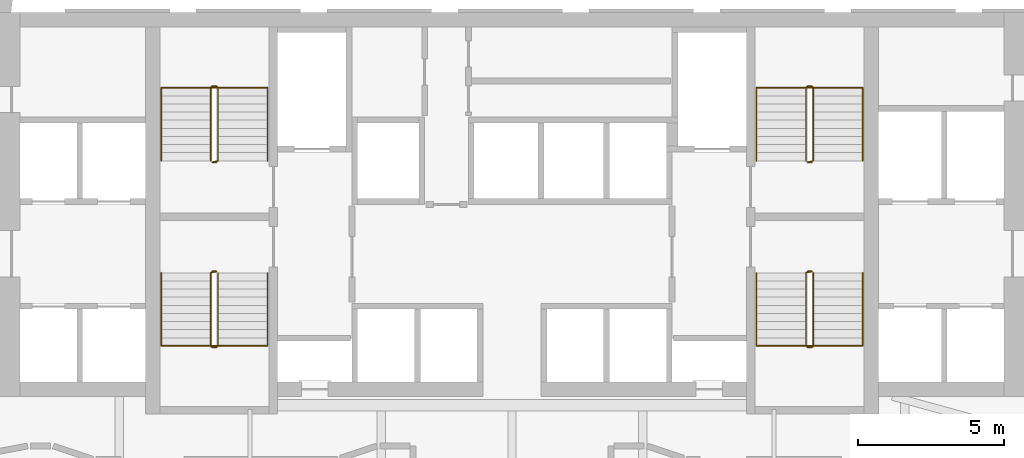
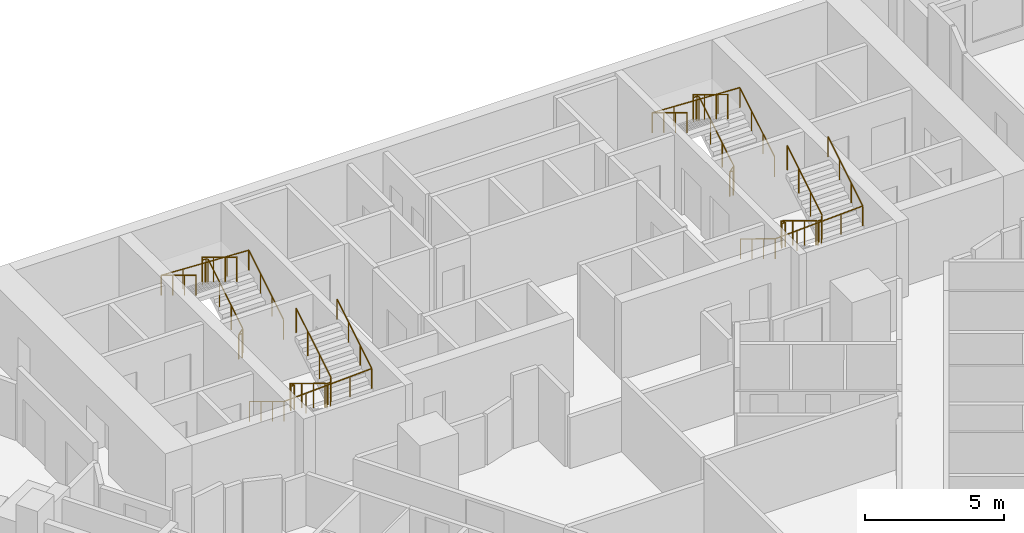
# One storey, part 12 of 12: 8 railings.
"""IFC4 building model written with IfcOpenShell, lengths in metres."""

from ifc_helpers import new_model, si_unit, direction, frame, origin, origin_2d, place, context, subcontext, project, spatial, circle, extrude, material, type_object, element, save


model = new_model("IFC4")

# Units and contexts
model_context = context("Model", 3, precision=1e-05, world=origin(), true_north=direction((0.0, 1.0)))
body_context = subcontext(model_context, "Body", "Model", "MODEL_VIEW")
ifc_project = project(units=[si_unit("LENGTHUNIT", "METRE"), si_unit("AREAUNIT", "SQUARE_METRE"), si_unit("VOLUMEUNIT", "CUBIC_METRE"), si_unit("PLANEANGLEUNIT", "RADIAN"), si_unit("MASSUNIT", "GRAM", prefix="KILO")], contexts=[model_context])

# Site, building, storey
site_placement = place(None, origin())
site = spatial("IfcSite", under=ifc_project, at=site_placement, CompositionType="ELEMENT")
building_placement = place(site_placement, origin())
building = spatial("IfcBuilding", under=site, at=building_placement, Name="Calabash Gate Tower", CompositionType="ELEMENT")
storey_placement = place(building_placement, frame((0.0, 0.0, 76.60009765625)))
storey = spatial("IfcBuildingStorey", under=building, at=storey_placement, Name="L15", CompositionType="ELEMENT", Elevation=76.60009765625)

# Railings
ifc_material_1 = material(Name="Black powder-coated steel balusters", Category="steel")
railing_type_1 = type_object("IfcRailingType", Name="Stair guard RL1100", PredefinedType="GUARDRAIL", material=ifc_material_1)
railing_1_placement = place(storey_placement, frame((-10.14990234375, 13.902587890625, 0.0)))
element("IfcRailing", 1, at=railing_1_placement, inside=storey, type_object=railing_type_1, Name="L15 ST1 stair guard 1", PredefinedType="GUARDRAIL", context=body_context, shape_type="SweptSolid", body=[
    extrude(circle(Radius=0.02392578125, at=origin_2d()), frame((0.0, 0.0, 1.076171875), z_axis=(-1.0, 0.0, 0.0), x_axis=(0.0, -1.0, 0.0)), (0.0, 0.0, 1.0), 0.150146484375),
    extrude(circle(Radius=0.02392578125, at=origin_2d()), frame((-0.150146484375, 0.0, 1.076171875), z_axis=(0.748514443355, 0.187357095101, 0.636100186295), x_axis=(-0.242814311512, 0.970072785993, 0.0)), (0.0, 0.0, 1.0), 0.26708984375),
    extrude(circle(Radius=0.02392578125, at=origin_2d()), frame((0.0498046875, 0.050048828125, 1.24609375), z_axis=(0.0, 0.853956361026, 0.520344629514), x_axis=(-1.0, 0.0, 0.0)), (0.0, 0.0, 1.0), 2.9404296875),
    extrude(circle(Radius=0.02392578125, at=origin_2d()), frame((0.0498046875, 2.56103515625, 2.77587890625), z_axis=(-0.705375805398, 0.708833529934, 0.0), x_axis=(-0.708833529934, -0.705375805398, 0.0)), (0.0, 0.0, 1.0), 0.070556640625),
    extrude(circle(Radius=0.02392578125, at=origin_2d()), frame((0.0, 2.611083984375, 2.77587890625), z_axis=(-1.0, 0.0, 0.0), x_axis=(0.0, -1.0, 0.0)), (0.0, 0.0, 1.0), 0.150146484375),
    extrude(circle(Radius=0.02392578125, at=origin_2d()), frame((-0.150146484375, 2.611083984375, 2.77587890625), z_axis=(-0.271895245746, -0.271895245746, 0.923117517265), x_axis=(0.707106781187, -0.707106781187, 0.0)), (0.0, 0.0, 1.0), 0.18408203125),
    extrude(circle(Radius=0.02392578125, at=origin_2d()), frame((-0.2001953125, 2.56103515625, 2.94580078125), z_axis=(0.0, -0.853956361026, 0.520344629514), x_axis=(1.0, 0.0, 0.0)), (0.0, 0.0, 1.0), 2.9404296875),
    extrude(circle(Radius=0.02099609375, at=origin_2d()), origin(), (0.0, 0.0, 1.0), 1.052001953125),
    extrude(circle(Radius=0.02099609375, at=origin_2d()), frame((-0.150146484375, 0.0, 0.0)), (0.0, 0.0, 1.0), 1.052001953125),
    extrude(circle(Radius=0.02099609375, at=origin_2d()), frame((0.0498046875, 0.050048828125, 0.169921875)), (0.0, 0.0, 1.0), 1.052001953125),
    extrude(circle(Radius=0.02099609375, at=origin_2d()), frame((0.0498046875, 0.886962890625, 0.679931640625)), (0.0, 0.0, 1.0), 1.052001953125),
    extrude(circle(Radius=0.02099609375, at=origin_2d()), frame((0.0498046875, 1.72412109375, 1.18994140625)), (0.0, 0.0, 1.0), 1.052001953125),
    extrude(circle(Radius=0.02099609375, at=origin_2d()), frame((0.0498046875, 2.56103515625, 1.699951171875)), (0.0, 0.0, 1.0), 1.052001953125),
    extrude(circle(Radius=0.02099609375, at=origin_2d()), frame((0.0, 2.611083984375, 1.699951171875)), (0.0, 0.0, 1.0), 1.052001953125),
    extrude(circle(Radius=0.02099609375, at=origin_2d()), frame((-0.150146484375, 2.611083984375, 1.699951171875)), (0.0, 0.0, 1.0), 1.052001953125),
    extrude(circle(Radius=0.02099609375, at=origin_2d()), frame((-0.2001953125, 2.56103515625, 1.869873046875)), (0.0, 0.0, 1.0), 1.052001953125),
    extrude(circle(Radius=0.02099609375, at=origin_2d()), frame((-0.2001953125, 1.72412109375, 2.3798828125)), (0.0, 0.0, 1.0), 1.052001953125),
    extrude(circle(Radius=0.02099609375, at=origin_2d()), frame((-0.2001953125, 0.886962890625, 2.889892578125)), (0.0, 0.0, 1.0), 1.052001953125),
    extrude(circle(Radius=0.02099609375, at=origin_2d()), frame((-0.2001953125, 0.050048828125, 3.39990234375)), (0.0, 0.0, 1.0), 1.052001953125),
])
railing_2_placement = place(storey_placement, frame((-10.300048828125, 10.152587890625, 0.0)))
element("IfcRailing", 2, at=railing_2_placement, inside=storey, type_object=railing_type_1, Name="L15 ST2 stair guard 1", PredefinedType="GUARDRAIL", context=body_context, shape_type="SweptSolid", body=[
    extrude(circle(Radius=0.02392578125, at=origin_2d()), frame((0.0, 0.0, 1.076171875), z_axis=(1.0, 0.0, 0.0), x_axis=(0.0, 1.0, 0.0)), (0.0, 0.0, 1.0), 0.150146484375),
    extrude(circle(Radius=0.02392578125, at=origin_2d()), frame((0.150146484375, 0.0, 1.076171875), z_axis=(-0.748915913269, -0.187228978317, 0.635665214189), x_axis=(0.242535625036, -0.970142500145, 0.0)), (0.0, 0.0, 1.0), 0.267333984375),
    extrude(circle(Radius=0.02392578125, at=origin_2d()), frame((-0.050048828125, -0.050048828125, 1.24609375), z_axis=(0.0, -0.853956361026, 0.520344629514), x_axis=(1.0, 0.0, 0.0)), (0.0, 0.0, 1.0), 2.9404296875),
    extrude(circle(Radius=0.02392578125, at=origin_2d()), frame((-0.050048828125, -2.56103515625, 2.77587890625), z_axis=(0.707106781187, -0.707106781187, 0.0), x_axis=(0.707106781187, 0.707106781187, 0.0)), (0.0, 0.0, 1.0), 0.07080078125),
    extrude(circle(Radius=0.02392578125, at=origin_2d()), frame((0.0, -2.611083984375, 2.77587890625), z_axis=(1.0, 0.0, 0.0), x_axis=(0.0, 1.0, 0.0)), (0.0, 0.0, 1.0), 0.150146484375),
    extrude(circle(Radius=0.02392578125, at=origin_2d()), frame((0.150146484375, -2.611083984375, 2.77587890625), z_axis=(0.270666314514, 0.271993110173, 0.92344977893), x_axis=(-0.708833529934, 0.705375805398, 0.0)), (0.0, 0.0, 1.0), 0.18408203125),
    extrude(circle(Radius=0.02392578125, at=origin_2d()), frame((0.199951171875, -2.56103515625, 2.94580078125), z_axis=(0.0, 0.853956361026, 0.520344629514), x_axis=(-1.0, 0.0, 0.0)), (0.0, 0.0, 1.0), 2.9404296875),
    extrude(circle(Radius=0.02099609375, at=origin_2d()), origin(), (0.0, 0.0, 1.0), 1.052001953125),
    extrude(circle(Radius=0.02099609375, at=origin_2d()), frame((0.150146484375, 0.0, 0.0)), (0.0, 0.0, 1.0), 1.052001953125),
    extrude(circle(Radius=0.02099609375, at=origin_2d()), frame((-0.050048828125, -0.050048828125, 0.169921875)), (0.0, 0.0, 1.0), 1.052001953125),
    extrude(circle(Radius=0.02099609375, at=origin_2d()), frame((-0.050048828125, -0.886962890625, 0.679931640625)), (0.0, 0.0, 1.0), 1.052001953125),
    extrude(circle(Radius=0.02099609375, at=origin_2d()), frame((-0.050048828125, -1.72412109375, 1.18994140625)), (0.0, 0.0, 1.0), 1.052001953125),
    extrude(circle(Radius=0.02099609375, at=origin_2d()), frame((-0.050048828125, -2.56103515625, 1.699951171875)), (0.0, 0.0, 1.0), 1.052001953125),
    extrude(circle(Radius=0.02099609375, at=origin_2d()), frame((0.0, -2.611083984375, 1.699951171875)), (0.0, 0.0, 1.0), 1.052001953125),
    extrude(circle(Radius=0.02099609375, at=origin_2d()), frame((0.150146484375, -2.611083984375, 1.699951171875)), (0.0, 0.0, 1.0), 1.052001953125),
    extrude(circle(Radius=0.02099609375, at=origin_2d()), frame((0.199951171875, -2.56103515625, 1.869873046875)), (0.0, 0.0, 1.0), 1.052001953125),
    extrude(circle(Radius=0.02099609375, at=origin_2d()), frame((0.199951171875, -1.72412109375, 2.3798828125)), (0.0, 0.0, 1.0), 1.052001953125),
    extrude(circle(Radius=0.02099609375, at=origin_2d()), frame((0.199951171875, -0.886962890625, 2.889892578125)), (0.0, 0.0, 1.0), 1.052001953125),
    extrude(circle(Radius=0.02099609375, at=origin_2d()), frame((0.199951171875, -0.050048828125, 3.39990234375)), (0.0, 0.0, 1.0), 1.052001953125),
])
railing_3_placement = place(storey_placement, frame((10.300048828125, 13.902587890625, 0.0)))
element("IfcRailing", 3, at=railing_3_placement, inside=storey, type_object=railing_type_1, Name="L15 ST3 stair guard 1", PredefinedType="GUARDRAIL", context=body_context, shape_type="SweptSolid", body=[
    extrude(circle(Radius=0.02392578125, at=origin_2d()), frame((0.0, 0.0, 1.076171875), z_axis=(-1.0, 0.0, 0.0), x_axis=(0.0, -1.0, 0.0)), (0.0, 0.0, 1.0), 0.150146484375),
    extrude(circle(Radius=0.02392578125, at=origin_2d()), frame((-0.150146484375, 0.0, 1.076171875), z_axis=(0.748915913269, 0.187228978317, 0.635665214189), x_axis=(-0.242535625036, 0.970142500145, 0.0)), (0.0, 0.0, 1.0), 0.267333984375),
    extrude(circle(Radius=0.02392578125, at=origin_2d()), frame((0.050048828125, 0.050048828125, 1.24609375), z_axis=(0.0, 0.853956361026, 0.520344629514), x_axis=(-1.0, 0.0, 0.0)), (0.0, 0.0, 1.0), 2.9404296875),
    extrude(circle(Radius=0.02392578125, at=origin_2d()), frame((0.050048828125, 2.56103515625, 2.77587890625), z_axis=(-0.707106781187, 0.707106781187, 0.0), x_axis=(-0.707106781187, -0.707106781187, 0.0)), (0.0, 0.0, 1.0), 0.07080078125),
    extrude(circle(Radius=0.02392578125, at=origin_2d()), frame((0.0, 2.611083984375, 2.77587890625), z_axis=(-1.0, 0.0, 0.0), x_axis=(0.0, -1.0, 0.0)), (0.0, 0.0, 1.0), 0.150146484375),
    extrude(circle(Radius=0.02392578125, at=origin_2d()), frame((-0.150146484375, 2.611083984375, 2.77587890625), z_axis=(-0.270666314514, -0.271993110173, 0.92344977893), x_axis=(0.708833529934, -0.705375805398, 0.0)), (0.0, 0.0, 1.0), 0.18408203125),
    extrude(circle(Radius=0.02392578125, at=origin_2d()), frame((-0.199951171875, 2.56103515625, 2.94580078125), z_axis=(0.0, -0.853956361026, 0.520344629514), x_axis=(1.0, 0.0, 0.0)), (0.0, 0.0, 1.0), 2.9404296875),
    extrude(circle(Radius=0.02099609375, at=origin_2d()), origin(), (0.0, 0.0, 1.0), 1.052001953125),
    extrude(circle(Radius=0.02099609375, at=origin_2d()), frame((-0.150146484375, 0.0, 0.0)), (0.0, 0.0, 1.0), 1.052001953125),
    extrude(circle(Radius=0.02099609375, at=origin_2d()), frame((0.050048828125, 0.050048828125, 0.169921875)), (0.0, 0.0, 1.0), 1.052001953125),
    extrude(circle(Radius=0.02099609375, at=origin_2d()), frame((0.050048828125, 0.886962890625, 0.679931640625)), (0.0, 0.0, 1.0), 1.052001953125),
    extrude(circle(Radius=0.02099609375, at=origin_2d()), frame((0.050048828125, 1.72412109375, 1.18994140625)), (0.0, 0.0, 1.0), 1.052001953125),
    extrude(circle(Radius=0.02099609375, at=origin_2d()), frame((0.050048828125, 2.56103515625, 1.699951171875)), (0.0, 0.0, 1.0), 1.052001953125),
    extrude(circle(Radius=0.02099609375, at=origin_2d()), frame((0.0, 2.611083984375, 1.699951171875)), (0.0, 0.0, 1.0), 1.052001953125),
    extrude(circle(Radius=0.02099609375, at=origin_2d()), frame((-0.150146484375, 2.611083984375, 1.699951171875)), (0.0, 0.0, 1.0), 1.052001953125),
    extrude(circle(Radius=0.02099609375, at=origin_2d()), frame((-0.199951171875, 2.56103515625, 1.869873046875)), (0.0, 0.0, 1.0), 1.052001953125),
    extrude(circle(Radius=0.02099609375, at=origin_2d()), frame((-0.199951171875, 1.72412109375, 2.3798828125)), (0.0, 0.0, 1.0), 1.052001953125),
    extrude(circle(Radius=0.02099609375, at=origin_2d()), frame((-0.199951171875, 0.886962890625, 2.889892578125)), (0.0, 0.0, 1.0), 1.052001953125),
    extrude(circle(Radius=0.02099609375, at=origin_2d()), frame((-0.199951171875, 0.050048828125, 3.39990234375)), (0.0, 0.0, 1.0), 1.052001953125),
])
railing_4_placement = place(storey_placement, frame((10.14990234375, 10.152587890625, 0.0)))
element("IfcRailing", 4, at=railing_4_placement, inside=storey, type_object=railing_type_1, Name="L15 ST4 stair guard 1", PredefinedType="GUARDRAIL", context=body_context, shape_type="SweptSolid", body=[
    extrude(circle(Radius=0.02392578125, at=origin_2d()), frame((0.0, 0.0, 1.076171875), z_axis=(1.0, 0.0, 0.0), x_axis=(0.0, 1.0, 0.0)), (0.0, 0.0, 1.0), 0.150146484375),
    extrude(circle(Radius=0.02392578125, at=origin_2d()), frame((0.150146484375, 0.0, 1.076171875), z_axis=(-0.748514443355, -0.187357095101, 0.636100186295), x_axis=(0.242814311512, -0.970072785993, 0.0)), (0.0, 0.0, 1.0), 0.26708984375),
    extrude(circle(Radius=0.02392578125, at=origin_2d()), frame((-0.0498046875, -0.050048828125, 1.24609375), z_axis=(0.0, -0.853956361026, 0.520344629514), x_axis=(1.0, 0.0, 0.0)), (0.0, 0.0, 1.0), 2.9404296875),
    extrude(circle(Radius=0.02392578125, at=origin_2d()), frame((-0.0498046875, -2.56103515625, 2.77587890625), z_axis=(0.705375805398, -0.708833529934, 0.0), x_axis=(0.708833529934, 0.705375805398, 0.0)), (0.0, 0.0, 1.0), 0.070556640625),
    extrude(circle(Radius=0.02392578125, at=origin_2d()), frame((0.0, -2.611083984375, 2.77587890625), z_axis=(1.0, 0.0, 0.0), x_axis=(0.0, 1.0, 0.0)), (0.0, 0.0, 1.0), 0.150146484375),
    extrude(circle(Radius=0.02392578125, at=origin_2d()), frame((0.150146484375, -2.611083984375, 2.77587890625), z_axis=(0.271895245746, 0.271895245746, 0.923117517265), x_axis=(-0.707106781187, 0.707106781187, 0.0)), (0.0, 0.0, 1.0), 0.18408203125),
    extrude(circle(Radius=0.02392578125, at=origin_2d()), frame((0.2001953125, -2.56103515625, 2.94580078125), z_axis=(0.0, 0.853956361026, 0.520344629514), x_axis=(-1.0, 0.0, 0.0)), (0.0, 0.0, 1.0), 2.9404296875),
    extrude(circle(Radius=0.02099609375, at=origin_2d()), origin(), (0.0, 0.0, 1.0), 1.052001953125),
    extrude(circle(Radius=0.02099609375, at=origin_2d()), frame((0.150146484375, 0.0, 0.0)), (0.0, 0.0, 1.0), 1.052001953125),
    extrude(circle(Radius=0.02099609375, at=origin_2d()), frame((-0.0498046875, -0.050048828125, 0.169921875)), (0.0, 0.0, 1.0), 1.052001953125),
    extrude(circle(Radius=0.02099609375, at=origin_2d()), frame((-0.0498046875, -0.886962890625, 0.679931640625)), (0.0, 0.0, 1.0), 1.052001953125),
    extrude(circle(Radius=0.02099609375, at=origin_2d()), frame((-0.0498046875, -1.72412109375, 1.18994140625)), (0.0, 0.0, 1.0), 1.052001953125),
    extrude(circle(Radius=0.02099609375, at=origin_2d()), frame((-0.0498046875, -2.56103515625, 1.699951171875)), (0.0, 0.0, 1.0), 1.052001953125),
    extrude(circle(Radius=0.02099609375, at=origin_2d()), frame((0.0, -2.611083984375, 1.699951171875)), (0.0, 0.0, 1.0), 1.052001953125),
    extrude(circle(Radius=0.02099609375, at=origin_2d()), frame((0.150146484375, -2.611083984375, 1.699951171875)), (0.0, 0.0, 1.0), 1.052001953125),
    extrude(circle(Radius=0.02099609375, at=origin_2d()), frame((0.2001953125, -2.56103515625, 1.869873046875)), (0.0, 0.0, 1.0), 1.052001953125),
    extrude(circle(Radius=0.02099609375, at=origin_2d()), frame((0.2001953125, -1.72412109375, 2.3798828125)), (0.0, 0.0, 1.0), 1.052001953125),
    extrude(circle(Radius=0.02099609375, at=origin_2d()), frame((0.2001953125, -0.886962890625, 2.889892578125)), (0.0, 0.0, 1.0), 1.052001953125),
    extrude(circle(Radius=0.02099609375, at=origin_2d()), frame((0.2001953125, -0.050048828125, 3.39990234375)), (0.0, 0.0, 1.0), 1.052001953125),
])
ifc_material_2 = material(Name="Black powder-coated steel tube 48 mm", Category="steel")
railing_type_2 = type_object("IfcRailingType", Name="Stair handrail RL900", PredefinedType="HANDRAIL", material=ifc_material_2)
railing_5_placement = place(storey_placement, frame((-8.39990234375, 13.95263671875, 0.169921875)))
element("IfcRailing", 5, at=railing_5_placement, inside=storey, type_object=railing_type_2, Name="L15 ST1 stair handrail 1", PredefinedType="HANDRAIL", context=body_context, shape_type="SweptSolid", body=[
    extrude(circle(Radius=0.02392578125, at=origin_2d()), frame((0.0, 0.0, 0.8759765625), z_axis=(0.0, 0.853956361026, 0.520344629514), x_axis=(-1.0, 0.0, 0.0)), (0.0, 0.0, 1.0), 2.9404296875),
    extrude(circle(Radius=0.02392578125, at=origin_2d()), frame((0.0, 2.510986328125, 2.40576171875), z_axis=(-0.998918210324, 0.0, 0.046501710547), x_axis=(0.0, -1.0, 0.0)), (0.0, 0.0, 1.0), 3.654052734375),
    extrude(circle(Radius=0.02392578125, at=origin_2d()), frame((-3.650146484375, 2.510986328125, 2.57568359375), z_axis=(0.0, -0.853956361026, 0.520344629514), x_axis=(1.0, 0.0, 0.0)), (0.0, 0.0, 1.0), 2.9404296875),
    extrude(circle(Radius=0.02099609375, at=origin_2d()), origin(), (0.0, 0.0, 1.0), 0.851806640625),
    extrude(circle(Radius=0.02099609375, at=origin_2d()), frame((0.0, 0.8369140625, 0.510009765625)), (0.0, 0.0, 1.0), 0.851806640625),
    extrude(circle(Radius=0.02099609375, at=origin_2d()), frame((0.0, 1.674072265625, 1.02001953125)), (0.0, 0.0, 1.0), 0.851806640625),
    extrude(circle(Radius=0.02099609375, at=origin_2d()), frame((0.0, 2.510986328125, 1.530029296875)), (0.0, 0.0, 1.0), 0.851806640625),
    extrude(circle(Radius=0.02099609375, at=origin_2d()), frame((-0.91259765625, 2.510986328125, 1.572509765625)), (0.0, 0.0, 1.0), 0.851806640625),
    extrude(circle(Radius=0.02099609375, at=origin_2d()), frame((-1.8251953125, 2.510986328125, 1.614990234375)), (0.0, 0.0, 1.0), 0.851806640625),
    extrude(circle(Radius=0.02099609375, at=origin_2d()), frame((-2.737548828125, 2.510986328125, 1.657470703125)), (0.0, 0.0, 1.0), 0.851806640625),
    extrude(circle(Radius=0.02099609375, at=origin_2d()), frame((-3.650146484375, 2.510986328125, 1.699951171875)), (0.0, 0.0, 1.0), 0.851806640625),
    extrude(circle(Radius=0.02099609375, at=origin_2d()), frame((-3.650146484375, 1.674072265625, 2.2099609375)), (0.0, 0.0, 1.0), 0.851806640625),
    extrude(circle(Radius=0.02099609375, at=origin_2d()), frame((-3.650146484375, 0.8369140625, 2.719970703125)), (0.0, 0.0, 1.0), 0.851806640625),
    extrude(circle(Radius=0.02099609375, at=origin_2d()), frame((-3.650146484375, 0.0, 3.22998046875)), (0.0, 0.0, 1.0), 0.851806640625),
])
railing_6_placement = place(storey_placement, frame((-12.050048828125, 10.1025390625, 0.169921875)))
element("IfcRailing", 6, at=railing_6_placement, inside=storey, type_object=railing_type_2, Name="L15 ST2 stair handrail 1", PredefinedType="HANDRAIL", context=body_context, shape_type="SweptSolid", body=[
    extrude(circle(Radius=0.02392578125, at=origin_2d()), frame((0.0, 0.0, 0.8759765625), z_axis=(0.0, -0.853956361026, 0.520344629514), x_axis=(1.0, 0.0, 0.0)), (0.0, 0.0, 1.0), 2.9404296875),
    extrude(circle(Radius=0.02392578125, at=origin_2d()), frame((0.0, -2.510986328125, 2.40576171875), z_axis=(0.998918210324, 0.0, 0.046501710547), x_axis=(0.0, 1.0, 0.0)), (0.0, 0.0, 1.0), 3.654052734375),
    extrude(circle(Radius=0.02392578125, at=origin_2d()), frame((3.650146484375, -2.510986328125, 2.57568359375), z_axis=(0.0, 0.853956361026, 0.520344629514), x_axis=(-1.0, 0.0, 0.0)), (0.0, 0.0, 1.0), 2.9404296875),
    extrude(circle(Radius=0.02099609375, at=origin_2d()), origin(), (0.0, 0.0, 1.0), 0.851806640625),
    extrude(circle(Radius=0.02099609375, at=origin_2d()), frame((0.0, -0.8369140625, 0.510009765625)), (0.0, 0.0, 1.0), 0.851806640625),
    extrude(circle(Radius=0.02099609375, at=origin_2d()), frame((0.0, -1.674072265625, 1.02001953125)), (0.0, 0.0, 1.0), 0.851806640625),
    extrude(circle(Radius=0.02099609375, at=origin_2d()), frame((0.0, -2.510986328125, 1.530029296875)), (0.0, 0.0, 1.0), 0.851806640625),
    extrude(circle(Radius=0.02099609375, at=origin_2d()), frame((0.91259765625, -2.510986328125, 1.572509765625)), (0.0, 0.0, 1.0), 0.851806640625),
    extrude(circle(Radius=0.02099609375, at=origin_2d()), frame((1.8251953125, -2.510986328125, 1.614990234375)), (0.0, 0.0, 1.0), 0.851806640625),
    extrude(circle(Radius=0.02099609375, at=origin_2d()), frame((2.737548828125, -2.510986328125, 1.657470703125)), (0.0, 0.0, 1.0), 0.851806640625),
    extrude(circle(Radius=0.02099609375, at=origin_2d()), frame((3.650146484375, -2.510986328125, 1.699951171875)), (0.0, 0.0, 1.0), 0.851806640625),
    extrude(circle(Radius=0.02099609375, at=origin_2d()), frame((3.650146484375, -1.674072265625, 2.2099609375)), (0.0, 0.0, 1.0), 0.851806640625),
    extrude(circle(Radius=0.02099609375, at=origin_2d()), frame((3.650146484375, -0.8369140625, 2.719970703125)), (0.0, 0.0, 1.0), 0.851806640625),
    extrude(circle(Radius=0.02099609375, at=origin_2d()), frame((3.650146484375, 0.0, 3.22998046875)), (0.0, 0.0, 1.0), 0.851806640625),
])
railing_7_placement = place(storey_placement, frame((12.050048828125, 13.95263671875, 0.169921875)))
element("IfcRailing", 7, at=railing_7_placement, inside=storey, type_object=railing_type_2, Name="L15 ST3 stair handrail 1", PredefinedType="HANDRAIL", context=body_context, shape_type="SweptSolid", body=[
    extrude(circle(Radius=0.02392578125, at=origin_2d()), frame((0.0, 0.0, 0.8759765625), z_axis=(0.0, 0.853956361026, 0.520344629514), x_axis=(-1.0, 0.0, 0.0)), (0.0, 0.0, 1.0), 2.9404296875),
    extrude(circle(Radius=0.02392578125, at=origin_2d()), frame((0.0, 2.510986328125, 2.40576171875), z_axis=(-0.998918210324, 0.0, 0.046501710547), x_axis=(0.0, -1.0, 0.0)), (0.0, 0.0, 1.0), 3.654052734375),
    extrude(circle(Radius=0.02392578125, at=origin_2d()), frame((-3.650146484375, 2.510986328125, 2.57568359375), z_axis=(0.0, -0.853956361026, 0.520344629514), x_axis=(1.0, 0.0, 0.0)), (0.0, 0.0, 1.0), 2.9404296875),
    extrude(circle(Radius=0.02099609375, at=origin_2d()), origin(), (0.0, 0.0, 1.0), 0.851806640625),
    extrude(circle(Radius=0.02099609375, at=origin_2d()), frame((0.0, 0.8369140625, 0.510009765625)), (0.0, 0.0, 1.0), 0.851806640625),
    extrude(circle(Radius=0.02099609375, at=origin_2d()), frame((0.0, 1.674072265625, 1.02001953125)), (0.0, 0.0, 1.0), 0.851806640625),
    extrude(circle(Radius=0.02099609375, at=origin_2d()), frame((0.0, 2.510986328125, 1.530029296875)), (0.0, 0.0, 1.0), 0.851806640625),
    extrude(circle(Radius=0.02099609375, at=origin_2d()), frame((-0.91259765625, 2.510986328125, 1.572509765625)), (0.0, 0.0, 1.0), 0.851806640625),
    extrude(circle(Radius=0.02099609375, at=origin_2d()), frame((-1.8251953125, 2.510986328125, 1.614990234375)), (0.0, 0.0, 1.0), 0.851806640625),
    extrude(circle(Radius=0.02099609375, at=origin_2d()), frame((-2.737548828125, 2.510986328125, 1.657470703125)), (0.0, 0.0, 1.0), 0.851806640625),
    extrude(circle(Radius=0.02099609375, at=origin_2d()), frame((-3.650146484375, 2.510986328125, 1.699951171875)), (0.0, 0.0, 1.0), 0.851806640625),
    extrude(circle(Radius=0.02099609375, at=origin_2d()), frame((-3.650146484375, 1.674072265625, 2.2099609375)), (0.0, 0.0, 1.0), 0.851806640625),
    extrude(circle(Radius=0.02099609375, at=origin_2d()), frame((-3.650146484375, 0.8369140625, 2.719970703125)), (0.0, 0.0, 1.0), 0.851806640625),
    extrude(circle(Radius=0.02099609375, at=origin_2d()), frame((-3.650146484375, 0.0, 3.22998046875)), (0.0, 0.0, 1.0), 0.851806640625),
])
railing_8_placement = place(storey_placement, frame((8.39990234375, 10.1025390625, 0.169921875)))
element("IfcRailing", 8, at=railing_8_placement, inside=storey, type_object=railing_type_2, Name="L15 ST4 stair handrail 1", PredefinedType="HANDRAIL", context=body_context, shape_type="SweptSolid", body=[
    extrude(circle(Radius=0.02392578125, at=origin_2d()), frame((0.0, 0.0, 0.8759765625), z_axis=(0.0, -0.853956361026, 0.520344629514), x_axis=(1.0, 0.0, 0.0)), (0.0, 0.0, 1.0), 2.9404296875),
    extrude(circle(Radius=0.02392578125, at=origin_2d()), frame((0.0, -2.510986328125, 2.40576171875), z_axis=(0.998918210324, 0.0, 0.046501710547), x_axis=(0.0, 1.0, 0.0)), (0.0, 0.0, 1.0), 3.654052734375),
    extrude(circle(Radius=0.02392578125, at=origin_2d()), frame((3.650146484375, -2.510986328125, 2.57568359375), z_axis=(0.0, 0.853956361026, 0.520344629514), x_axis=(-1.0, 0.0, 0.0)), (0.0, 0.0, 1.0), 2.9404296875),
    extrude(circle(Radius=0.02099609375, at=origin_2d()), origin(), (0.0, 0.0, 1.0), 0.851806640625),
    extrude(circle(Radius=0.02099609375, at=origin_2d()), frame((0.0, -0.8369140625, 0.510009765625)), (0.0, 0.0, 1.0), 0.851806640625),
    extrude(circle(Radius=0.02099609375, at=origin_2d()), frame((0.0, -1.674072265625, 1.02001953125)), (0.0, 0.0, 1.0), 0.851806640625),
    extrude(circle(Radius=0.02099609375, at=origin_2d()), frame((0.0, -2.510986328125, 1.530029296875)), (0.0, 0.0, 1.0), 0.851806640625),
    extrude(circle(Radius=0.02099609375, at=origin_2d()), frame((0.91259765625, -2.510986328125, 1.572509765625)), (0.0, 0.0, 1.0), 0.851806640625),
    extrude(circle(Radius=0.02099609375, at=origin_2d()), frame((1.8251953125, -2.510986328125, 1.614990234375)), (0.0, 0.0, 1.0), 0.851806640625),
    extrude(circle(Radius=0.02099609375, at=origin_2d()), frame((2.737548828125, -2.510986328125, 1.657470703125)), (0.0, 0.0, 1.0), 0.851806640625),
    extrude(circle(Radius=0.02099609375, at=origin_2d()), frame((3.650146484375, -2.510986328125, 1.699951171875)), (0.0, 0.0, 1.0), 0.851806640625),
    extrude(circle(Radius=0.02099609375, at=origin_2d()), frame((3.650146484375, -1.674072265625, 2.2099609375)), (0.0, 0.0, 1.0), 0.851806640625),
    extrude(circle(Radius=0.02099609375, at=origin_2d()), frame((3.650146484375, -0.8369140625, 2.719970703125)), (0.0, 0.0, 1.0), 0.851806640625),
    extrude(circle(Radius=0.02099609375, at=origin_2d()), frame((3.650146484375, 0.0, 3.22998046875)), (0.0, 0.0, 1.0), 0.851806640625),
])

save(model, "model.ifc")
